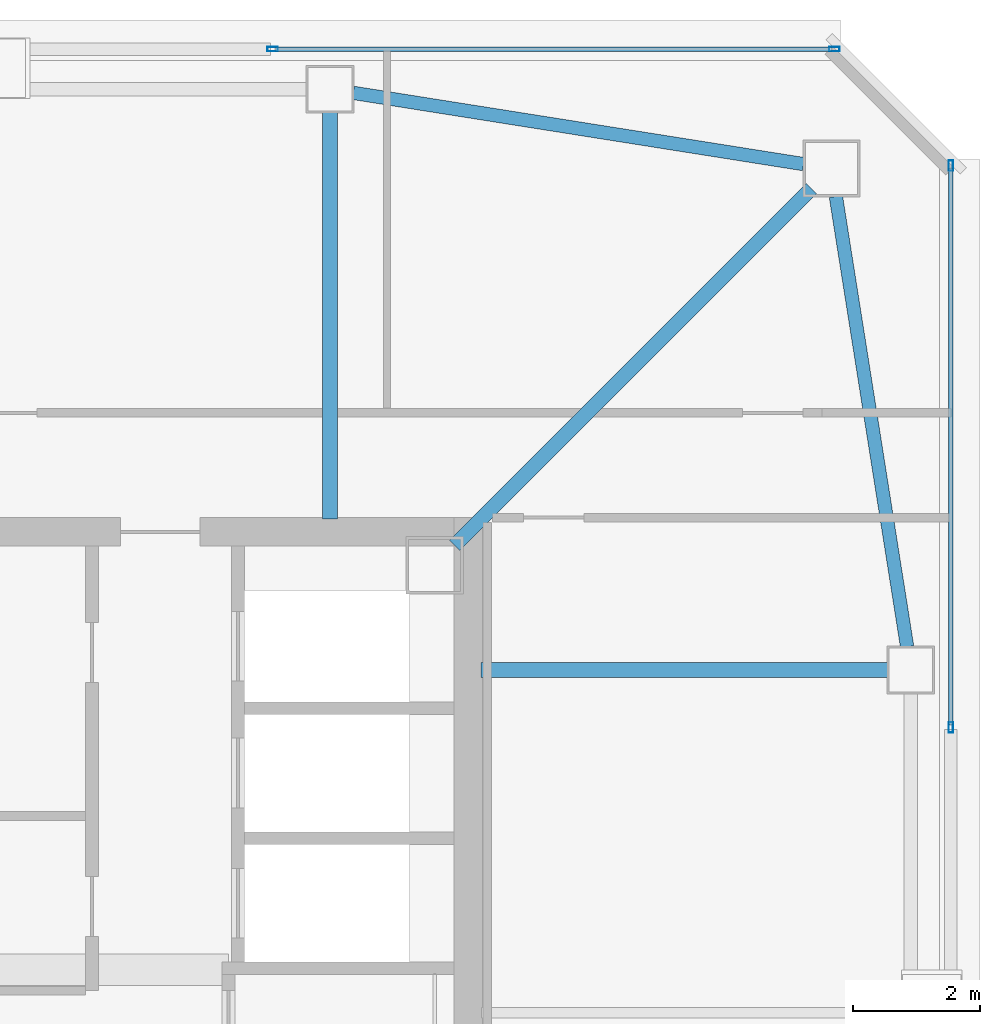
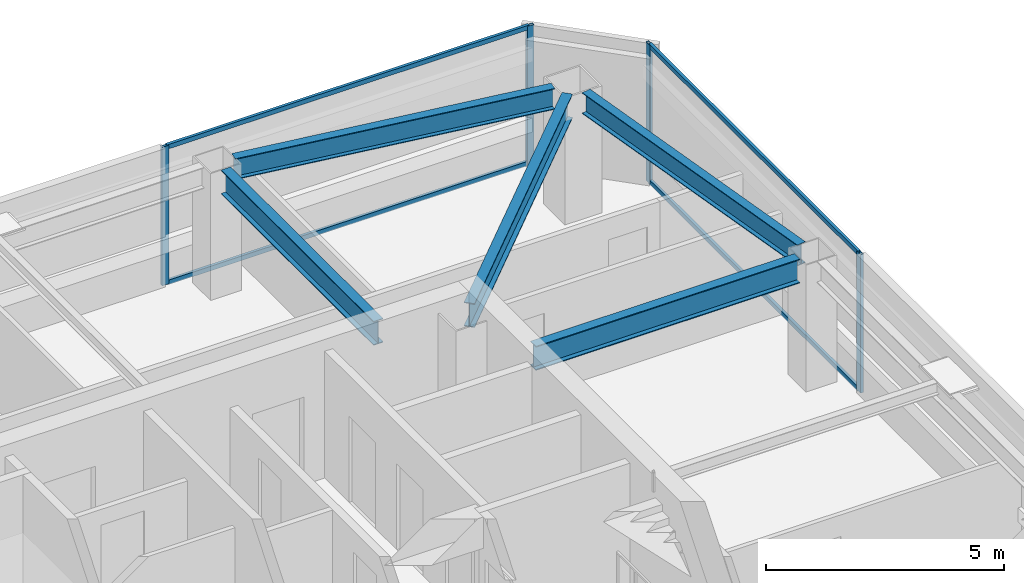
# One storey, part 12 of 18: 8 members, 5 beams, 2 elements without a shape of their own.
"""IFC4 building model written with IfcOpenShell, lengths in metres."""

from ifc_helpers import new_model, si_unit, direction, frame, origin, origin_2d, place, context, subcontext, project, spatial, hollow_rectangle, i_section, extrude, material, material_profile, profile_set, type_object, element, aggregate, save


model = new_model("IFC4")

# Units and contexts
model_context = context("Model", 3, precision=1e-05, world=origin(), true_north=direction((0.0, 1.0)))
body_context = subcontext(model_context, "Body", "Model", "MODEL_VIEW")
ifc_project = project(units=[si_unit("LENGTHUNIT", "METRE"), si_unit("AREAUNIT", "SQUARE_METRE"), si_unit("VOLUMEUNIT", "CUBIC_METRE"), si_unit("PLANEANGLEUNIT", "RADIAN"), si_unit("MASSUNIT", "GRAM", prefix="KILO")], contexts=[model_context])

# Site, building, storey
site_placement = place(None, origin())
site = spatial("IfcSite", under=ifc_project, at=site_placement, CompositionType="ELEMENT")
building_placement = place(site_placement, origin())
building = spatial("IfcBuilding", under=site, at=building_placement, Name="Tashvorn Skyway Center", CompositionType="ELEMENT")
storey_placement = place(building_placement, frame((0.0, 0.0, 274.050048828125)))
storey = spatial("IfcBuildingStorey", under=building, at=storey_placement, Name="L74", CompositionType="ELEMENT", Elevation=274.050048828125)

# Beams
ifc_material_1 = material(Name="Steel ASTM A992 Grade 50", Category="steel")
ifc_material_profile_1 = material_profile(ifc_material_1, i_section(OverallWidth=0.22998046875, OverallDepth=0.616943359375, WebThickness=0.01318359375, FlangeThickness=0.022216796875, at=origin_2d()), Name="W24X94")
ifc_profile_set_1 = profile_set([ifc_material_profile_1], Name="Steel ASTM A992 Grade 50")
beam_type_1 = type_object("IfcBeamType", Name="BM-BEAM-W24X94", PredefinedType="BEAM", material=ifc_profile_set_1)
beam_placement = place(storey_placement, frame((54.9853515625, 44.9853515625, 2.94140625), z_axis=(-0.707106781187, -0.707106781187, 0.0), x_axis=(0.707106781187, -0.707106781187, 0.0)))
element("IfcBeam", 1, at=beam_placement, inside=storey, type_object=beam_type_1, Name="Tower 1 L74 Primary Floor Girder MC-NE", PredefinedType="BEAM", context=body_context, shape_type="SweptSolid", body=[
    extrude(i_section(OverallWidth=0.22998046875, OverallDepth=0.616943359375, WebThickness=0.01318359375, FlangeThickness=0.022216796875, at=origin_2d()), origin(), (0.0, 0.0, 1.0), 7.94873046875),
])
for number, where, z_axis, x_axis, name in (
    (2, (56.179931640625, 37.39990234375, 2.94140625), (-1.0, 0.0, 0.0), (0.0, -1.0, 0.0), "Tower 1 L74 Primary Floor Girder FC-E2"),
    (3, (47.39990234375, 46.179931640625, 2.94140625), (0.0, -1.0, 0.0), (1.0, 0.0, 0.0), "Tower 1 L74 Primary Floor Girder FC-N1"),
):
    element("IfcBeam", number, at=place(storey_placement, frame(where, z_axis=z_axis, x_axis=x_axis)), inside=storey, type_object=beam_type_1, Name=name, PredefinedType="BEAM", context=body_context, shape_type="SweptSolid", body=[
        extrude(i_section(OverallWidth=0.22998046875, OverallDepth=0.616943359375, WebThickness=0.01318359375, FlangeThickness=0.022216796875, at=origin_2d()), origin(), (0.0, 0.0, 1.0), 6.39990234375),
    ])
ifc_material_profile_2 = material_profile(ifc_material_1, i_section(OverallWidth=0.2109375, OverallDepth=0.5390625, WebThickness=0.01171875, FlangeThickness=0.018798828125, at=origin_2d()), Name="W21X73")
ifc_profile_set_2 = profile_set([ifc_material_profile_2], Name="Steel ASTM A992 Grade 50")
beam_type_2 = type_object("IfcBeamType", Name="BM-SPANDREL-W21X73", PredefinedType="SPANDREL", material=ifc_profile_set_2)
for number, where, z_axis, x_axis, name in (
    (4, (56.4921875, 37.765380859375, 2.98046875), (-0.156274976, 0.987713587978, 0.0), (-0.987713587978, -0.156274976, 0.0), "Tower 1 L74 Spandrel Beam 06"),
    (5, (54.8603515625, 45.36962890625, 2.98046875), (-0.987713587978, 0.156274976, 0.0), (-0.156274976, -0.987713587978, 0.0), "Tower 1 L74 Spandrel Beam 07"),
):
    element("IfcBeam", number, at=place(storey_placement, frame(where, z_axis=z_axis, x_axis=x_axis)), inside=storey, type_object=beam_type_2, Name=name, PredefinedType="SPANDREL", context=body_context, shape_type="SweptSolid", body=[
        extrude(i_section(OverallWidth=0.2109375, OverallDepth=0.5390625, WebThickness=0.01171875, FlangeThickness=0.018798828125, at=origin_2d()), origin(), (0.0, 0.0, 1.0), 7.18310546875),
    ])

# Curtain wall, members
ifc_material_2 = material(Name="Thermally broken bronze-anodized aluminium 6063-T6", Category="aluminium")
curtain_wall_type = type_object("IfcCurtainWallType", Name="CW-CW-Z5", PredefinedType="NOTDEFINED", material=ifc_material_2)
curtain_wall_1_placement = place(storey_placement, origin())
curtain_wall_1 = element("IfcCurtainWall", 6, at=curtain_wall_1_placement, inside=storey, type_object=curtain_wall_type, Name="Tower 1 L74 North Unitised Curtain Wall Glazing Group 2", PredefinedType="NOTDEFINED")
ifc_material_profile_3 = material_profile(ifc_material_2, hollow_rectangle(XDim=0.070068359375, YDim=0.1650390625, WallThickness=0.00390625, at=origin_2d()), Name="ALU-MULL-70x165")
ifc_profile_set_3 = profile_set([ifc_material_profile_3], Name="Thermally broken bronze-anodized aluminium 6063-T6")
member_type_1 = type_object("IfcMemberType", Name="CWM-CW-Z5", PredefinedType="MULLION", material=ifc_profile_set_3)
member_1_placement = place(storey_placement, frame((46.4951171875, 47.179931640625, 0.0), z_axis=(0.0, 0.0, 1.0), x_axis=(0.0, 1.0, 0.0)))
member_1 = element("IfcMember", 7, at=member_1_placement, type_object=member_type_1, Name="CW-Z5 mullion 1", PredefinedType="MULLION", context=body_context, shape_type="SweptSolid", body=[
    extrude(hollow_rectangle(XDim=0.070068359375, YDim=0.1650390625, WallThickness=0.00390625, at=origin_2d()), origin(), (0.0, 0.0, 1.0), 3.550048828125),
])
member_2_placement = place(storey_placement, frame((55.344970703125, 47.179931640625, 0.0), z_axis=(0.0, 0.0, 1.0), x_axis=(0.0, 1.0, 0.0)))
member_2 = element("IfcMember", 8, at=member_2_placement, type_object=member_type_1, Name="CW-Z5 mullion 2", PredefinedType="MULLION", context=body_context, shape_type="SweptSolid", body=[
    extrude(hollow_rectangle(XDim=0.070068359375, YDim=0.1650390625, WallThickness=0.00390625, at=origin_2d()), origin(), (0.0, 0.0, 1.0), 3.550048828125),
])

curtain_wall_2_placement = place(storey_placement, origin())
curtain_wall_2 = element("IfcCurtainWall", 9, at=curtain_wall_2_placement, inside=storey, type_object=curtain_wall_type, Name="Tower 1 L74 East Unitised Curtain Wall Glazing Group 1", PredefinedType="NOTDEFINED")
member_3_placement = place(storey_placement, frame((57.179931640625, 45.344970703125, 0.0), z_axis=(0.0, 0.0, 1.0), x_axis=(1.0, 0.0, 0.0)))
member_3 = element("IfcMember", 10, at=member_3_placement, type_object=member_type_1, Name="CW-Z5 mullion 1", PredefinedType="MULLION", context=body_context, shape_type="SweptSolid", body=[
    extrude(hollow_rectangle(XDim=0.070068359375, YDim=0.1650390625, WallThickness=0.00390625, at=origin_2d()), origin(), (0.0, 0.0, 1.0), 3.550048828125),
])
member_4_placement = place(storey_placement, frame((57.179931640625, 36.4951171875, 0.0), z_axis=(0.0, 0.0, 1.0), x_axis=(1.0, 0.0, 0.0)))
member_4 = element("IfcMember", 11, at=member_4_placement, type_object=member_type_1, Name="CW-Z5 mullion 2", PredefinedType="MULLION", context=body_context, shape_type="SweptSolid", body=[
    extrude(hollow_rectangle(XDim=0.070068359375, YDim=0.1650390625, WallThickness=0.00390625, at=origin_2d()), origin(), (0.0, 0.0, 1.0), 3.550048828125),
])

# Member
ifc_material_profile_4 = material_profile(ifc_material_2, hollow_rectangle(XDim=0.070068359375, YDim=0.114990234375, WallThickness=0.00390625, at=origin_2d()), Name="ALU-TRAN-70x115")
ifc_profile_set_4 = profile_set([ifc_material_profile_4], Name="Thermally broken bronze-anodized aluminium 6063-T6")
member_type_2 = type_object("IfcMemberType", Name="CWT-CW-Z5", PredefinedType="USERDEFINED", material=ifc_profile_set_4)
member_5_placement = place(storey_placement, frame((46.530029296875, 47.179931640625, 0.034912109375), z_axis=(1.0, 0.0, 0.0), x_axis=(0.0, 1.0, 0.0)))
member_5 = element("IfcMember", 12, at=member_5_placement, type_object=member_type_2, Name="CW-Z5 transom 1.1", ObjectType="TRANSOM", PredefinedType="USERDEFINED", context=body_context, shape_type="SweptSolid", body=[
    extrude(hollow_rectangle(XDim=0.070068359375, YDim=0.114990234375, WallThickness=0.00390625, at=origin_2d()), origin(), (0.0, 0.0, 1.0), 8.780029296875),
])

member_6_placement = place(storey_placement, frame((46.530029296875, 47.179931640625, 3.514892578125), z_axis=(1.0, 0.0, 0.0), x_axis=(0.0, 1.0, 0.0)))
member_6 = element("IfcMember", 13, at=member_6_placement, type_object=member_type_2, Name="CW-Z5 transom 1.2", ObjectType="TRANSOM", PredefinedType="USERDEFINED", context=body_context, shape_type="SweptSolid", body=[
    extrude(hollow_rectangle(XDim=0.070068359375, YDim=0.114990234375, WallThickness=0.00390625, at=origin_2d()), origin(), (0.0, 0.0, 1.0), 8.780029296875),
])

aggregate(curtain_wall_1, [member_1, member_2, member_5, member_6])

member_7_placement = place(storey_placement, frame((57.179931640625, 45.31005859375, 0.034912109375), z_axis=(0.0, -1.0, 0.0), x_axis=(1.0, 0.0, 0.0)))
member_7 = element("IfcMember", 14, at=member_7_placement, type_object=member_type_2, Name="CW-Z5 transom 1.1", ObjectType="TRANSOM", PredefinedType="USERDEFINED", context=body_context, shape_type="SweptSolid", body=[
    extrude(hollow_rectangle(XDim=0.070068359375, YDim=0.114990234375, WallThickness=0.00390625, at=origin_2d()), origin(), (0.0, 0.0, 1.0), 8.780029296875),
])

member_8_placement = place(storey_placement, frame((57.179931640625, 45.31005859375, 3.514892578125), z_axis=(0.0, -1.0, 0.0), x_axis=(1.0, 0.0, 0.0)))
member_8 = element("IfcMember", 15, at=member_8_placement, type_object=member_type_2, Name="CW-Z5 transom 1.2", ObjectType="TRANSOM", PredefinedType="USERDEFINED", context=body_context, shape_type="SweptSolid", body=[
    extrude(hollow_rectangle(XDim=0.070068359375, YDim=0.114990234375, WallThickness=0.00390625, at=origin_2d()), origin(), (0.0, 0.0, 1.0), 8.780029296875),
])

aggregate(curtain_wall_2, [member_3, member_4, member_7, member_8])

save(model, "model.ifc")
